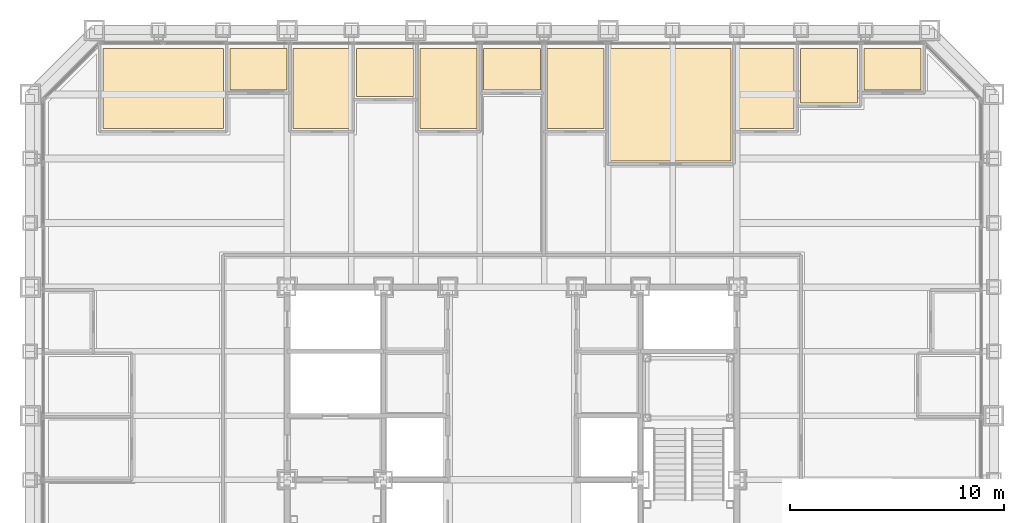
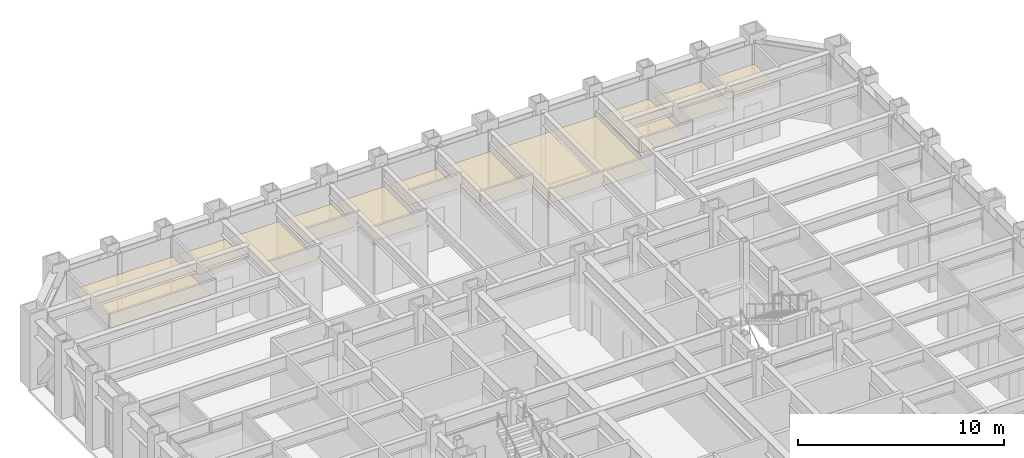
# One storey, part 16 of 16: 11 coverings.
"""IFC4 building model written with IfcOpenShell, lengths in metres."""

from ifc_helpers import new_model, si_unit, direction, frame, origin, place, context, subcontext, project, spatial, polyline, outline, extrude, material, layer, layer_set, type_object, element, save


model = new_model("IFC4")

# Units and contexts
model_context = context("Model", 3, precision=1e-05, world=origin(), true_north=direction((0.0, 1.0)))
body_context = subcontext(model_context, "Body", "Model", "MODEL_VIEW")
ifc_project = project(units=[si_unit("LENGTHUNIT", "METRE"), si_unit("AREAUNIT", "SQUARE_METRE"), si_unit("VOLUMEUNIT", "CUBIC_METRE"), si_unit("PLANEANGLEUNIT", "RADIAN"), si_unit("MASSUNIT", "GRAM", prefix="KILO")], contexts=[model_context])

# Site, building, storey
site_placement = place(None, origin())
site = spatial("IfcSite", under=ifc_project, at=site_placement, CompositionType="ELEMENT")
building_placement = place(site_placement, origin())
building = spatial("IfcBuilding", under=site, at=building_placement, Name="Chuquiago Exchange Tower", CompositionType="ELEMENT")
storey_placement = place(building_placement, frame((0.0, 0.0, 60.300048828125)))
storey = spatial("IfcBuildingStorey", under=building, at=storey_placement, Name="L12", CompositionType="ELEMENT", Elevation=60.300048828125)

# Coverings
ifc_material = material(Name="Mineral fibre tile, 600 x 600, on pale metal grid", Category="mineral fibre")
ifc_layer = layer(ifc_material, 0.02001953125)
ifc_layer_set = layer_set([ifc_layer], Name="CL1 suspended tile ceiling 20")
covering_type = type_object("IfcCoveringType", Name="CL1 suspended tile ceiling 20", PredefinedType="CEILING", material=ifc_layer_set)
covering_1_placement = place(storey_placement, frame((0.0, 0.0, 3.0)))
element("IfcCovering", 1, at=covering_1_placement, inside=storey, type_object=covering_type, Name="Ceiling Meeting room", PredefinedType="CEILING", context=body_context, shape_type="SweptSolid", body=[
    extrude(outline(polyline([(9.022216796875, 44.14990234375), (9.022216796875, 40.39990234375), (3.3984375, 40.39990234375), (3.3984375, 44.14990234375), (9.022216796875, 44.14990234375)])), origin(), (0.0, 0.0, 1.0), 0.02001953125),
])
covering_2_placement = place(storey_placement, frame((0.0, 0.0, 3.0)))
element("IfcCovering", 2, at=covering_2_placement, inside=storey, type_object=covering_type, Name="Ceiling Focus room", PredefinedType="CEILING", context=body_context, shape_type="SweptSolid", body=[
    extrude(outline(polyline([(11.98388671875, 42.199951171875), (9.322021484375, 42.199951171875), (9.322021484375, 44.14990234375), (11.98388671875, 44.14990234375), (11.98388671875, 42.199951171875)])), origin(), (0.0, 0.0, 1.0), 0.02001953125),
])
covering_3_placement = place(storey_placement, frame((0.0, 0.0, 3.0)))
element("IfcCovering", 3, at=covering_3_placement, inside=storey, type_object=covering_type, Name="Ceiling Office", PredefinedType="CEILING", context=body_context, shape_type="SweptSolid", body=[
    extrude(outline(polyline([(14.945556640625, 40.39990234375), (12.28369140625, 40.39990234375), (12.28369140625, 44.14990234375), (14.945556640625, 44.14990234375), (14.945556640625, 40.39990234375)])), origin(), (0.0, 0.0, 1.0), 0.02001953125),
])
covering_4_placement = place(storey_placement, frame((0.0, 0.0, 3.0)))
element("IfcCovering", 4, at=covering_4_placement, inside=storey, type_object=covering_type, Name="Ceiling Store", PredefinedType="CEILING", context=body_context, shape_type="SweptSolid", body=[
    extrude(outline(polyline([(17.907470703125, 41.89990234375), (15.24560546875, 41.89990234375), (15.24560546875, 44.14990234375), (17.907470703125, 44.14990234375), (17.907470703125, 41.89990234375)])), origin(), (0.0, 0.0, 1.0), 0.02001953125),
])
covering_5_placement = place(storey_placement, frame((0.0, 0.0, 3.0)))
element("IfcCovering", 5, at=covering_5_placement, inside=storey, type_object=covering_type, Name="Ceiling Trading support room", PredefinedType="CEILING", context=body_context, shape_type="SweptSolid", body=[
    extrude(outline(polyline([(20.869140625, 40.39990234375), (18.20751953125, 40.39990234375), (18.20751953125, 44.14990234375), (20.869140625, 44.14990234375), (20.869140625, 40.39990234375)])), origin(), (0.0, 0.0, 1.0), 0.02001953125),
])
covering_6_placement = place(storey_placement, frame((0.0, 0.0, 3.0)))
element("IfcCovering", 6, at=covering_6_placement, inside=storey, type_object=covering_type, Name="Ceiling Focus room", PredefinedType="CEILING", context=body_context, shape_type="SweptSolid", body=[
    extrude(outline(polyline([(23.830810546875, 42.199951171875), (21.169189453125, 42.199951171875), (21.169189453125, 44.14990234375), (23.830810546875, 44.14990234375), (23.830810546875, 42.199951171875)])), origin(), (0.0, 0.0, 1.0), 0.02001953125),
])
covering_7_placement = place(storey_placement, frame((0.0, 0.0, 3.0)))
element("IfcCovering", 7, at=covering_7_placement, inside=storey, type_object=covering_type, Name="Ceiling Office", PredefinedType="CEILING", context=body_context, shape_type="SweptSolid", body=[
    extrude(outline(polyline([(26.79248046875, 40.39990234375), (24.130859375, 40.39990234375), (24.130859375, 44.14990234375), (26.79248046875, 44.14990234375), (26.79248046875, 40.39990234375)])), origin(), (0.0, 0.0, 1.0), 0.02001953125),
])
covering_8_placement = place(storey_placement, frame((0.0, 0.0, 3.0)))
element("IfcCovering", 8, at=covering_8_placement, inside=storey, type_object=covering_type, Name="Ceiling Market data room", PredefinedType="CEILING", context=body_context, shape_type="SweptSolid", body=[
    extrude(outline(polyline([(32.71630859375, 38.89990234375), (27.092529296875, 38.89990234375), (27.092529296875, 44.14990234375), (32.71630859375, 44.14990234375), (32.71630859375, 38.89990234375)])), origin(), (0.0, 0.0, 1.0), 0.02001953125),
])
covering_9_placement = place(storey_placement, frame((0.0, 0.0, 3.0)))
element("IfcCovering", 9, at=covering_9_placement, inside=storey, type_object=covering_type, Name="Ceiling Office", PredefinedType="CEILING", context=body_context, shape_type="SweptSolid", body=[
    extrude(outline(polyline([(35.677978515625, 40.39990234375), (33.01611328125, 40.39990234375), (33.01611328125, 44.14990234375), (35.677978515625, 44.14990234375), (35.677978515625, 40.39990234375)])), origin(), (0.0, 0.0, 1.0), 0.02001953125),
])
covering_10_placement = place(storey_placement, frame((0.0, 0.0, 3.0)))
element("IfcCovering", 10, at=covering_10_placement, inside=storey, type_object=covering_type, Name="Ceiling Pantry", PredefinedType="CEILING", context=body_context, shape_type="SweptSolid", body=[
    extrude(outline(polyline([(38.6396484375, 41.60009765625), (35.977783203125, 41.60009765625), (35.977783203125, 44.14990234375), (38.6396484375, 44.14990234375), (38.6396484375, 41.60009765625)])), origin(), (0.0, 0.0, 1.0), 0.02001953125),
])
covering_11_placement = place(storey_placement, frame((0.0, 0.0, 3.0)))
element("IfcCovering", 11, at=covering_11_placement, inside=storey, type_object=covering_type, Name="Ceiling Focus room", PredefinedType="CEILING", context=body_context, shape_type="SweptSolid", body=[
    extrude(outline(polyline([(41.6015625, 42.199951171875), (38.939697265625, 42.199951171875), (38.939697265625, 44.14990234375), (41.6015625, 44.14990234375), (41.6015625, 42.199951171875)])), origin(), (0.0, 0.0, 1.0), 0.02001953125),
])

save(model, "model.ifc")
